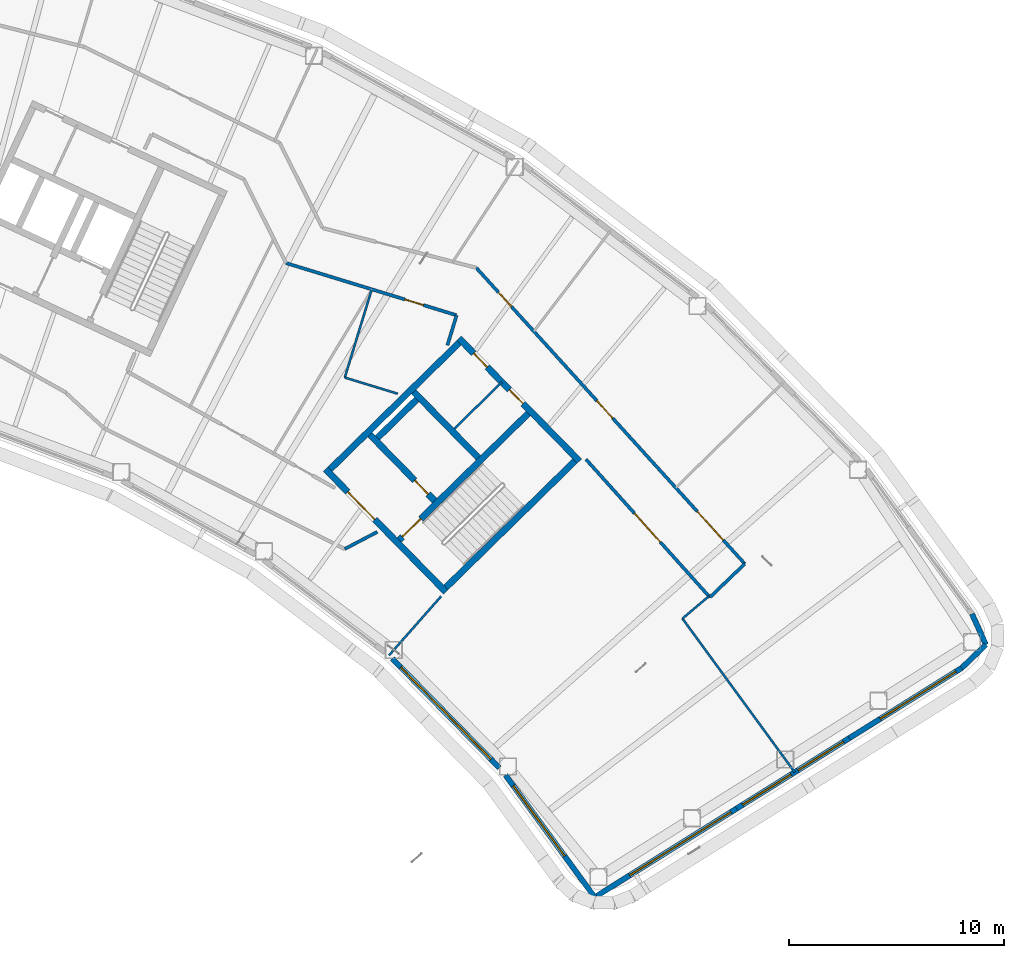
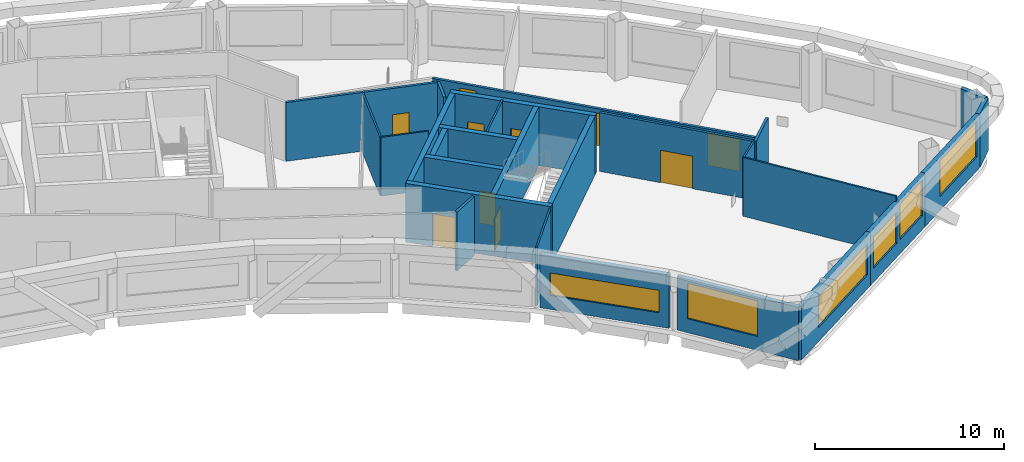
# One storey, part 9 of 21: 27 walls, 10 doors, 6 windows, 16 openings.
"""IFC4 building model written with IfcOpenShell, lengths in metres."""

from ifc_helpers import new_model, si_unit, direction, frame, frame_2d, origin, place, context, subcontext, project, spatial, rectangle, extrude, material, layer, layer_set, type_object, element, fill, save


model = new_model("IFC4")

# Units and contexts
model_context = context("Model", 3, precision=1e-05, world=origin(), true_north=direction((0.0, 1.0)))
body_context = subcontext(model_context, "Body", "Model", "MODEL_VIEW")
ifc_project = project(units=[si_unit("LENGTHUNIT", "METRE"), si_unit("AREAUNIT", "SQUARE_METRE"), si_unit("VOLUMEUNIT", "CUBIC_METRE"), si_unit("PLANEANGLEUNIT", "RADIAN"), si_unit("MASSUNIT", "GRAM", prefix="KILO")], contexts=[model_context])

# Site, building, storey
site_placement = place(None, origin())
site = spatial("IfcSite", under=ifc_project, at=site_placement, CompositionType="ELEMENT")
building_placement = place(site_placement, origin())
building = spatial("IfcBuilding", under=site, at=building_placement, Name="Tuul Gate Civic Tower", CompositionType="ELEMENT")
storey_placement = place(building_placement, frame((0.0, 0.0, 273.60009765625)))
storey = spatial("IfcBuildingStorey", under=building, at=storey_placement, Name="Level 62", CompositionType="ELEMENT", Elevation=273.60009765625)

# Wall, opening, door
ifc_material_1 = material(Name="Concrete C50/60", Category="concrete")
ifc_layer_1 = layer(ifc_material_1, 0.300048828125)
ifc_layer_set_1 = layer_set([ifc_layer_1], Name="Concrete C50/60")
wall_type_1 = type_object("IfcWallType", Name="Core wall C50/60", PredefinedType="SHEAR", material=ifc_layer_set_1)
wall_1_placement = place(storey_placement, frame((48.22509765625, -18.327880859375, 0.0), z_axis=(0.0, 0.0, 1.0), x_axis=(-0.700021979774, 0.714121297703, 0.0)))
wall_1 = element("IfcWall", 1, at=wall_1_placement, inside=storey, type_object=wall_type_1, Name="Core wall", PredefinedType="SHEAR", context=body_context, shape_type="SweptSolid", body=[
    extrude(rectangle(XDim=8.0, YDim=0.300048828125, at=frame_2d((4.0, 0.0))), origin(), (0.0, 0.0, 1.0), 3.7998046875),
])
opening_1_placement = place(wall_1_placement, frame((4.72509765625, 0.0, 0.0)))
opening_1 = element("IfcOpeningElement", 2, at=opening_1_placement, cuts=wall_1, Name="Opening LB-E1-LOBBY-1", PredefinedType="OPENING", context=body_context, shape_type="SweptSolid", body=[
    extrude(rectangle(XDim=1.800048828125, YDim=2.10009765625, at=frame_2d((0.89990234375, 1.050048828125))), frame((0.0, 0.16015625, 0.0), z_axis=(0.0, -1.0, 0.0), x_axis=(1.0, 0.0, 0.0)), (0.0, 0.0, 1.0), 0.320068359375),
])
ifc_material_2 = material(Name="Steel", Category="steel")
door_type_1 = type_object("IfcDoorType", Name="Lobby door", OperationType="DOUBLE_DOOR_SINGLE_SWING", PredefinedType="DOOR", material=ifc_material_2)
door_1_placement = place(opening_1_placement, frame((1.800048828125, 0.0, 0.0), z_axis=(0.0, 0.0, 1.0), x_axis=(-1.0, 0.0, 0.0)))
door_1 = element("IfcDoor", 3, at=door_1_placement, inside=storey, type_object=door_type_1, Name="Lobby door E1-LOBBY", OperationType="DOUBLE_DOOR_SINGLE_SWING", OverallHeight=2.10009765625, OverallWidth=1.800048828125, PredefinedType="DOOR", context=body_context, shape_type="SweptSolid", body=[
    extrude(rectangle(XDim=1.800048828125, YDim=2.10009765625, at=frame_2d((0.900146484375, 1.050048828125))), frame((0.0, 0.02490234375, 0.0), z_axis=(0.0, -1.0, 0.0), x_axis=(1.0, 0.0, 0.0)), (0.0, 0.0, 1.0), 0.050048828125),
])
fill(opening_1, door_1)

wall_2_placement = place(storey_placement, frame((47.701904296875, -14.079833984375, 0.0), z_axis=(0.0, 0.0, 1.0), x_axis=(-0.700002721075, 0.714140175657, 0.0)))
wall_2 = element("IfcWall", 4, at=wall_2_placement, inside=storey, type_object=wall_type_1, Name="Core wall", PredefinedType="SHEAR", context=body_context, shape_type="SweptSolid", body=[
    extrude(rectangle(XDim=4.300048828125, YDim=0.300048828125, at=frame_2d((2.14990234375, 0.0))), origin(), (0.0, 0.0, 1.0), 3.7998046875),
])
opening_2_placement = place(wall_2_placement, frame((0.425048828125, 0.0, 0.0)))
opening_2 = element("IfcOpeningElement", 5, at=opening_2_placement, cuts=wall_2, Name="Opening FB-E1A1", PredefinedType="OPENING", context=body_context, shape_type="SweptSolid", body=[
    extrude(rectangle(XDim=0.89990234375, YDim=2.10009765625, at=frame_2d((0.449951171875, 1.050048828125))), frame((0.0, 0.16015625, 0.0), z_axis=(0.0, -1.0, 0.0), x_axis=(1.0, 0.0, 0.0)), (0.0, 0.0, 1.0), 0.320068359375),
])
ifc_material_3 = material(Name="Steel", Category="steel")
door_type_2 = type_object("IfcDoorType", Name="Store door", OperationType="NOTDEFINED", PredefinedType="DOOR", material=ifc_material_3)
door_2_placement = place(opening_2_placement, frame((0.89990234375, 0.0, 0.0), z_axis=(0.0, 0.0, 1.0), x_axis=(-1.0, 0.0, 0.0)))
door_2 = element("IfcDoor", 6, at=door_2_placement, inside=storey, type_object=door_type_2, Name="Store door E1A1", OperationType="SINGLE_SWING_RIGHT", OverallHeight=2.10009765625, OverallWidth=0.89990234375, PredefinedType="DOOR", context=body_context, shape_type="SweptSolid", body=[
    extrude(rectangle(XDim=0.89990234375, YDim=2.10009765625, at=frame_2d((0.449951171875, 1.050048828125))), frame((0.0, 0.02490234375, 0.0), z_axis=(0.0, -1.0, 0.0), x_axis=(1.0, 0.0, 0.0)), (0.0, 0.0, 1.0), 0.050048828125),
])
fill(opening_2, door_2)

# Wall
wall_3_placement = place(storey_placement, frame((49.737060546875, -12.0849609375, 0.0), z_axis=(0.0, 0.0, 1.0), x_axis=(-0.700002721075, 0.714140175657, 0.0)))
element("IfcWall", 7, at=wall_3_placement, inside=storey, type_object=wall_type_1, Name="Core wall", PredefinedType="SHEAR", context=body_context, shape_type="SweptSolid", body=[
    extrude(rectangle(XDim=4.300048828125, YDim=0.300048828125, at=frame_2d((2.14990234375, 0.0))), origin(), (0.0, 0.0, 1.0), 3.7998046875),
])

# Wall, openings, doors
wall_4_placement = place(storey_placement, frame((54.43798828125, -12.23779296875, 0.0), z_axis=(0.0, 0.0, 1.0), x_axis=(-0.700021979774, 0.714121297703, 0.0)))
wall_4 = element("IfcWall", 8, at=wall_4_placement, inside=storey, type_object=wall_type_1, Name="Core wall", PredefinedType="SHEAR", context=body_context, shape_type="SweptSolid", body=[
    extrude(rectangle(XDim=8.0, YDim=0.300048828125, at=frame_2d((4.0, 0.0))), origin(), (0.0, 0.0, 1.0), 3.7998046875),
])
opening_3_placement = place(wall_4_placement, frame((3.75, 0.0, 0.0)))
opening_3 = element("IfcOpeningElement", 9, at=opening_3_placement, cuts=wall_4, Name="Opening W-D35", PredefinedType="OPENING", context=body_context, shape_type="SweptSolid", body=[
    extrude(rectangle(XDim=0.89990234375, YDim=2.10009765625, at=frame_2d((0.449951171875, 1.050048828125))), frame((0.0, 0.16015625, 0.0), z_axis=(0.0, -1.0, 0.0), x_axis=(1.0, 0.0, 0.0)), (0.0, 0.0, 1.0), 0.320068359375),
])
opening_4_placement = place(wall_4_placement, frame((6.125, 0.0, 0.0)))
opening_4 = element("IfcOpeningElement", 10, at=opening_4_placement, cuts=wall_4, Name="Opening W-D36", PredefinedType="OPENING", context=body_context, shape_type="SweptSolid", body=[
    extrude(rectangle(XDim=0.89990234375, YDim=2.10009765625, at=frame_2d((0.449951171875, 1.050048828125))), frame((0.0, 0.16015625, 0.0), z_axis=(0.0, -1.0, 0.0), x_axis=(1.0, 0.0, 0.0)), (0.0, 0.0, 1.0), 0.320068359375),
])
ifc_material_4 = material(Name="Timber door leaf", Category="wood")
door_type_3 = type_object("IfcDoorType", Name="Door D09", OperationType="NOTDEFINED", PredefinedType="DOOR", material=ifc_material_4)
door_3_placement = place(opening_3_placement, origin())
door_3 = element("IfcDoor", 11, at=door_3_placement, inside=storey, type_object=door_type_3, Name="Door W-D35", OperationType="SINGLE_SWING_LEFT", OverallHeight=2.10009765625, OverallWidth=0.89990234375, PredefinedType="DOOR", context=body_context, shape_type="SweptSolid", body=[
    extrude(rectangle(XDim=0.89990234375, YDim=2.10009765625, at=frame_2d((0.449951171875, 1.050048828125))), frame((0.0, 0.02490234375, 0.0), z_axis=(0.0, -1.0, 0.0), x_axis=(1.0, 0.0, 0.0)), (0.0, 0.0, 1.0), 0.050048828125),
])
fill(opening_3, door_3)
door_4_placement = place(opening_4_placement, origin())
door_4 = element("IfcDoor", 12, at=door_4_placement, inside=storey, type_object=door_type_3, Name="Door W-D36", OperationType="SINGLE_SWING_LEFT", OverallHeight=2.10009765625, OverallWidth=0.89990234375, PredefinedType="DOOR", context=body_context, shape_type="SweptSolid", body=[
    extrude(rectangle(XDim=0.89990234375, YDim=2.10009765625, at=frame_2d((0.449951171875, 1.050048828125))), frame((0.0, 0.02490234375, 0.0), z_axis=(0.0, -1.0, 0.0), x_axis=(1.0, 0.0, 0.0)), (0.0, 0.0, 1.0), 0.050048828125),
])
fill(opening_4, door_4)

# Wall
wall_5_placement = place(storey_placement, frame((48.227294921875, -18.115966796875, 0.0), z_axis=(0.0, 0.0, 1.0), x_axis=(0.714105315431, 0.700038283577, 0.0)))
element("IfcWall", 13, at=wall_5_placement, inside=storey, type_object=wall_type_1, Name="Core wall", PredefinedType="SHEAR", context=body_context, shape_type="SweptSolid", body=[
    extrude(rectangle(XDim=8.400146484375, YDim=0.300048828125, at=frame_2d((4.2001953125, 0.0))), origin(), (0.0, 0.0, 1.0), 3.7998046875),
])

# Wall, opening, door
wall_6_placement = place(storey_placement, frame((46.05712890625, -15.902099609375, 0.0), z_axis=(0.0, 0.0, 1.0), x_axis=(0.714134086973, 0.700008932674, 0.0)))
wall_6 = element("IfcWall", 14, at=wall_6_placement, inside=storey, type_object=wall_type_1, Name="Core wall", PredefinedType="SHEAR", context=body_context, shape_type="SweptSolid", body=[
    extrude(rectangle(XDim=8.400146484375, YDim=0.300048828125, at=frame_2d((4.2001953125, 0.0))), origin(), (0.0, 0.0, 1.0), 3.7998046875),
])
opening_5_placement = place(wall_6_placement, frame((0.199951171875, 0.0, 0.0)))
opening_5 = element("IfcOpeningElement", 15, at=opening_5_placement, cuts=wall_6, Name="Opening SD-ST-3", PredefinedType="OPENING", context=body_context, shape_type="SweptSolid", body=[
    extrude(rectangle(XDim=1.199951171875, YDim=2.10009765625, at=frame_2d((0.60009765625, 1.050048828125))), frame((0.0, 0.16015625, 0.0), z_axis=(0.0, -1.0, 0.0), x_axis=(1.0, 0.0, 0.0)), (0.0, 0.0, 1.0), 0.320068359375),
])
ifc_material_5 = material(Name="Steel", Category="steel")
door_type_4 = type_object("IfcDoorType", Name="Stair door", OperationType="NOTDEFINED", PredefinedType="DOOR", material=ifc_material_5)
door_5_placement = place(opening_5_placement, origin())
door_5 = element("IfcDoor", 16, at=door_5_placement, inside=storey, type_object=door_type_4, Name="Stair door ST-3", OperationType="SINGLE_SWING_LEFT", OverallHeight=2.10009765625, OverallWidth=1.199951171875, PredefinedType="DOOR", context=body_context, shape_type="SweptSolid", body=[
    extrude(rectangle(XDim=1.199951171875, YDim=2.10009765625, at=frame_2d((0.60009765625, 1.050048828125))), frame((0.0, 0.02490234375, 0.0), z_axis=(0.0, -1.0, 0.0), x_axis=(1.0, 0.0, 0.0)), (0.0, 0.0, 1.0), 0.050048828125),
])
fill(opening_5, door_5)

# Walls
wall_7_placement = place(storey_placement, frame((45.0439453125, -11.154052734375, 0.0), z_axis=(0.0, 0.0, 1.0), x_axis=(0.714108498262, 0.700035036773, 0.0)))
element("IfcWall", 17, at=wall_7_placement, inside=storey, type_object=wall_type_1, Name="Core wall", PredefinedType="SHEAR", context=body_context, shape_type="SweptSolid", body=[
    extrude(rectangle(XDim=2.550048828125, YDim=0.300048828125, at=frame_2d((1.27490234375, 0.0))), origin(), (0.0, 0.0, 1.0), 3.7998046875),
])
wall_8_placement = place(storey_placement, frame((42.837158203125, -12.616943359375, 0.0), z_axis=(0.0, 0.0, 1.0), x_axis=(0.714119844755, 0.700023461983, 0.0)))
element("IfcWall", 18, at=wall_8_placement, inside=storey, type_object=wall_type_1, Name="Core wall", PredefinedType="SHEAR", context=body_context, shape_type="SweptSolid", body=[
    extrude(rectangle(XDim=8.39990234375, YDim=0.300048828125, at=frame_2d((4.199951171875, 0.0))), origin(), (0.0, 0.0, 1.0), 3.7998046875),
])

# Wall, opening, door
ifc_material_6 = material(Name="Gypsum board partition")
ifc_layer_2 = layer(ifc_material_6, 0.14990234375)
ifc_layer_set_2 = layer_set([ifc_layer_2], Name="Gypsum board partition")
wall_type_2 = type_object("IfcWallType", Name="Corridor wall P150", PredefinedType="PARTITIONING", material=ifc_layer_set_2)
wall_9_placement = place(storey_placement, frame((54.74072265625, -12.151123046875, 0.0), z_axis=(0.0, 0.0, 1.0), x_axis=(0.66824580338, -0.74394055291, 0.0)))
wall_9 = element("IfcWall", 19, at=wall_9_placement, inside=storey, type_object=wall_type_2, Name="p012", PredefinedType="PARTITIONING", context=body_context, shape_type="SweptSolid", body=[
    extrude(rectangle(XDim=8.63427734375, YDim=0.14990234375, at=frame_2d((4.317138671875, 0.0))), origin(), (0.0, 0.0, 1.0), 3.7998046875),
])
opening_6_placement = place(wall_9_placement, frame((3.382568359375, 0.0, 0.0)))
opening_6 = element("IfcOpeningElement", 20, at=opening_6_placement, cuts=wall_9, Name="Opening W-D21", PredefinedType="OPENING", context=body_context, shape_type="SweptSolid", body=[
    extrude(rectangle(XDim=1.800048828125, YDim=2.10009765625, at=frame_2d((0.89990234375, 1.050048828125))), frame((0.0, 0.0849609375, 0.0), z_axis=(0.0, -1.0, 0.0), x_axis=(1.0, 0.0, 0.0)), (0.0, 0.0, 1.0), 0.169921875),
])
ifc_material_7 = material(Name="Timber door leaf, double", Category="wood")
door_type_5 = type_object("IfcDoorType", Name="Door D18", OperationType="DOUBLE_DOOR_SINGLE_SWING", PredefinedType="DOOR", material=ifc_material_7)
door_6_placement = place(opening_6_placement, frame((1.800048828125, 0.0, 0.0), z_axis=(0.0, 0.0, 1.0), x_axis=(-1.0, 0.0, 0.0)))
door_6 = element("IfcDoor", 21, at=door_6_placement, inside=storey, type_object=door_type_5, Name="Door W-D21", OperationType="DOUBLE_DOOR_SINGLE_SWING", OverallHeight=2.10009765625, OverallWidth=1.800048828125, PredefinedType="DOOR", context=body_context, shape_type="SweptSolid", body=[
    extrude(rectangle(XDim=1.800048828125, YDim=2.10009765625, at=frame_2d((0.900146484375, 1.050048828125))), frame((0.0, 0.02490234375, 0.0), z_axis=(0.0, -1.0, 0.0), x_axis=(1.0, 0.0, 0.0)), (0.0, 0.0, 1.0), 0.050048828125),
])
fill(opening_6, door_6)

# Walls
wall_10_placement = place(storey_placement, frame((60.510498046875, -18.574462890625, 0.0), z_axis=(0.0, 0.0, 1.0), x_axis=(0.721601928115, 0.692308209788, 0.0)))
element("IfcWall", 22, at=wall_10_placement, inside=storey, type_object=wall_type_2, Name="p013", PredefinedType="PARTITIONING", context=body_context, shape_type="SweptSolid", body=[
    extrude(rectangle(XDim=2.250244140625, YDim=0.14990234375, at=frame_2d((1.125, 0.0))), origin(), (0.0, 0.0, 1.0), 3.7998046875),
])
wall_11_placement = place(storey_placement, frame((43.52001953125, -16.32568359375, 0.0), z_axis=(0.0, 0.0, 1.0), x_axis=(0.88557995334, 0.464486971014, 0.0)))
element("IfcWall", 23, at=wall_11_placement, inside=storey, type_object=wall_type_2, Name="p079", PredefinedType="PARTITIONING", context=body_context, shape_type="SweptSolid", body=[
    extrude(rectangle(XDim=1.71044921875, YDim=0.14990234375, at=frame_2d((0.855224609375, 0.0))), origin(), (0.0, 0.0, 1.0), 3.7998046875),
])

# Wall, opening, door
wall_12_placement = place(storey_placement, frame((40.78662109375, -3.022705078125, 0.0), z_axis=(0.0, 0.0, 1.0), x_axis=(0.956268555028, -0.292490086439, 0.0)))
wall_12 = element("IfcWall", 24, at=wall_12_placement, inside=storey, type_object=wall_type_2, Name="p102", PredefinedType="PARTITIONING", context=body_context, shape_type="SweptSolid", body=[
    extrude(rectangle(XDim=8.291015625, YDim=0.14990234375, at=frame_2d((4.1455078125, 0.0))), origin(), (0.0, 0.0, 1.0), 3.7998046875),
])
opening_7_placement = place(wall_12_placement, frame((5.786865234375, 0.0, 0.0)))
opening_7 = element("IfcOpeningElement", 25, at=opening_7_placement, cuts=wall_12, Name="Opening W-D28", PredefinedType="OPENING", context=body_context, shape_type="SweptSolid", body=[
    extrude(rectangle(XDim=0.89990234375, YDim=2.10009765625, at=frame_2d((0.449951171875, 1.050048828125))), frame((0.0, 0.0849609375, 0.0), z_axis=(0.0, -1.0, 0.0), x_axis=(1.0, 0.0, 0.0)), (0.0, 0.0, 1.0), 0.169921875),
])
door_7_placement = place(opening_7_placement, frame((0.89990234375, 0.0, 0.0), z_axis=(0.0, 0.0, 1.0), x_axis=(-1.0, 0.0, 0.0)))
door_7 = element("IfcDoor", 26, at=door_7_placement, inside=storey, type_object=door_type_3, Name="Door W-D28", OperationType="SINGLE_SWING_LEFT", OverallHeight=2.10009765625, OverallWidth=0.89990234375, PredefinedType="DOOR", context=body_context, shape_type="SweptSolid", body=[
    extrude(rectangle(XDim=0.89990234375, YDim=2.10009765625, at=frame_2d((0.449951171875, 1.050048828125))), frame((0.0, 0.02490234375, 0.0), z_axis=(0.0, -1.0, 0.0), x_axis=(1.0, 0.0, 0.0)), (0.0, 0.0, 1.0), 0.050048828125),
])
fill(opening_7, door_7)

# Wall
wall_13_placement = place(storey_placement, frame((48.298583984375, -6.843505859375, 0.0), z_axis=(0.0, 0.0, 1.0), x_axis=(0.292598304993, 0.956235447949, 0.0)))
element("IfcWall", 27, at=wall_13_placement, inside=storey, type_object=wall_type_2, Name="p103", PredefinedType="PARTITIONING", context=body_context, shape_type="SweptSolid", body=[
    extrude(rectangle(XDim=1.45361328125, YDim=0.14990234375, at=frame_2d((0.726806640625, 0.0))), origin(), (0.0, 0.0, 1.0), 3.7998046875),
])

# Wall, openings, doors
ifc_material_8 = material(Name="Gypsum board partition")
ifc_layer_3 = layer(ifc_material_8, 0.14990234375)
ifc_layer_set_3 = layer_set([ifc_layer_3], Name="Gypsum board partition")
wall_type_3 = type_object("IfcWallType", Name="Corridor wall P150 2400 HIGH", PredefinedType="PARTITIONING", material=ifc_layer_set_3)
wall_14_placement = place(storey_placement, frame((49.636962890625, -3.2412109375, 0.0), z_axis=(0.0, 0.0, 1.0), x_axis=(0.671913916037, -0.740629252349, 0.0)))
wall_14 = element("IfcWall", 28, at=wall_14_placement, inside=storey, type_object=wall_type_3, Name="p014", PredefinedType="PARTITIONING", context=body_context, shape_type="SweptSolid", body=[
    extrude(rectangle(XDim=18.599609375, YDim=0.14990234375, at=frame_2d((9.2998046875, 0.0))), origin(), (0.0, 0.0, 1.0), 2.39990234375),
])
opening_8_placement = place(wall_14_placement, frame((15.310546875, 0.0, 0.0)))
opening_8 = element("IfcOpeningElement", 29, at=opening_8_placement, cuts=wall_14, Name="Opening W-D02", PredefinedType="OPENING", context=body_context, shape_type="SweptSolid", body=[
    extrude(rectangle(XDim=1.800048828125, YDim=2.10009765625, at=frame_2d((0.89990234375, 1.050048828125))), frame((0.0, 0.0849609375, 0.0), z_axis=(0.0, -1.0, 0.0), x_axis=(1.0, 0.0, 0.0)), (0.0, 0.0, 1.0), 0.169921875),
])
opening_9_placement = place(wall_14_placement, frame((8.356689453125, 0.0, 0.0)))
opening_9 = element("IfcOpeningElement", 30, at=opening_9_placement, cuts=wall_14, Name="Opening W-D03", PredefinedType="OPENING", context=body_context, shape_type="SweptSolid", body=[
    extrude(rectangle(XDim=1.10009765625, YDim=2.10009765625, at=frame_2d((0.550048828125, 1.050048828125))), frame((0.0, 0.0849609375, 0.0), z_axis=(0.0, -1.0, 0.0), x_axis=(1.0, 0.0, 0.0)), (0.0, 0.0, 1.0), 0.169921875),
])
opening_10_placement = place(wall_14_placement, frame((1.5458984375, 0.0, 0.0)))
opening_10 = element("IfcOpeningElement", 31, at=opening_10_placement, cuts=wall_14, Name="Opening W-D04", PredefinedType="OPENING", context=body_context, shape_type="SweptSolid", body=[
    extrude(rectangle(XDim=0.89990234375, YDim=2.10009765625, at=frame_2d((0.449951171875, 1.050048828125))), frame((0.0, 0.0849609375, 0.0), z_axis=(0.0, -1.0, 0.0), x_axis=(1.0, 0.0, 0.0)), (0.0, 0.0, 1.0), 0.169921875),
])
door_8_placement = place(opening_10_placement, origin())
door_8 = element("IfcDoor", 32, at=door_8_placement, inside=storey, type_object=door_type_3, Name="Door W-D04", OperationType="SINGLE_SWING_RIGHT", OverallHeight=2.10009765625, OverallWidth=0.89990234375, PredefinedType="DOOR", context=body_context, shape_type="SweptSolid", body=[
    extrude(rectangle(XDim=0.89990234375, YDim=2.10009765625, at=frame_2d((0.449951171875, 1.050048828125))), frame((0.0, 0.02490234375, 0.0), z_axis=(0.0, -1.0, 0.0), x_axis=(1.0, 0.0, 0.0)), (0.0, 0.0, 1.0), 0.050048828125),
])
fill(opening_10, door_8)
ifc_material_9 = material(Name="Timber door leaf", Category="wood")
door_type_6 = type_object("IfcDoorType", Name="Door D11", OperationType="NOTDEFINED", PredefinedType="DOOR", material=ifc_material_9)
door_9_placement = place(opening_9_placement, origin())
door_9 = element("IfcDoor", 33, at=door_9_placement, inside=storey, type_object=door_type_6, Name="Door W-D03", OperationType="SINGLE_SWING_RIGHT", OverallHeight=2.10009765625, OverallWidth=1.10009765625, PredefinedType="DOOR", context=body_context, shape_type="SweptSolid", body=[
    extrude(rectangle(XDim=1.10009765625, YDim=2.10009765625, at=frame_2d((0.550048828125, 1.050048828125))), frame((0.0, 0.02490234375, 0.0), z_axis=(0.0, -1.0, 0.0), x_axis=(1.0, 0.0, 0.0)), (0.0, 0.0, 1.0), 0.050048828125),
])
fill(opening_9, door_9)
door_10_placement = place(opening_8_placement, origin())
door_10 = element("IfcDoor", 34, at=door_10_placement, inside=storey, type_object=door_type_5, Name="Door W-D02", OperationType="DOUBLE_DOOR_SINGLE_SWING", OverallHeight=2.10009765625, OverallWidth=1.800048828125, PredefinedType="DOOR", context=body_context, shape_type="SweptSolid", body=[
    extrude(rectangle(XDim=1.800048828125, YDim=2.10009765625, at=frame_2d((0.89990234375, 1.050048828125))), frame((0.0, 0.02490234375, 0.0), z_axis=(0.0, -1.0, 0.0), x_axis=(1.0, 0.0, 0.0)), (0.0, 0.0, 1.0), 0.050048828125),
])
fill(opening_8, door_10)

# Walls
ifc_material_10 = material(Name="Precast concrete C40/50", Category="concrete")
ifc_layer_4 = layer(ifc_material_10, 0.25)
ifc_layer_set_4 = layer_set([ifc_layer_4], Name="Precast concrete C40/50")
wall_type_4 = type_object("IfcWallType", Name="External wall", PredefinedType="STANDARD", material=ifc_layer_set_4)
wall_15_placement = place(storey_placement, frame((72.2216796875, -21.86669921875, 0.0), z_axis=(0.0, 0.0, 1.0), x_axis=(0.722783622894, 0.69107440589, 0.0)))
element("IfcWall", 35, at=wall_15_placement, inside=storey, type_object=wall_type_4, Name="External wall", PredefinedType="STANDARD", context=body_context, shape_type="SweptSolid", body=[
    extrude(rectangle(XDim=1.570556640625, YDim=0.25, at=frame_2d((0.78515625, 0.0))), origin(), (0.0, 0.0, 1.0), 3.449951171875),
])
wall_16_placement = place(storey_placement, frame((73.35693359375, -20.78125, 0.0), z_axis=(0.0, 0.0, 1.0), x_axis=(-0.412995937313, 0.9107328674, 0.0)))
element("IfcWall", 36, at=wall_16_placement, inside=storey, type_object=wall_type_4, Name="External wall", PredefinedType="STANDARD", context=body_context, shape_type="SweptSolid", body=[
    extrude(rectangle(XDim=1.572998046875, YDim=0.25, at=frame_2d((0.78662109375, 0.0))), origin(), (0.0, 0.0, 1.0), 3.449951171875),
])

# Wall, opening, window
wall_17_placement = place(storey_placement, frame((45.73486328125, -21.428955078125, 0.0), z_axis=(0.0, 0.0, 1.0), x_axis=(0.700015105418, -0.714128036269, 0.0)))
wall_17 = element("IfcWall", 37, at=wall_17_placement, inside=storey, type_object=wall_type_4, Name="External wall", PredefinedType="STANDARD", context=body_context, shape_type="SweptSolid", body=[
    extrude(rectangle(XDim=7.10986328125, YDim=0.25, at=frame_2d((3.554931640625, 0.0))), origin(), (0.0, 0.0, 1.0), 3.449951171875),
])
opening_11_placement = place(wall_17_placement, frame((0.553955078125, 0.0, 0.89990234375)))
opening_11 = element("IfcOpeningElement", 38, at=opening_11_placement, cuts=wall_17, Name="Opening W107", PredefinedType="OPENING", context=body_context, shape_type="SweptSolid", body=[
    extrude(rectangle(XDim=6.0, YDim=1.449951171875, at=frame_2d((3.0, 0.72509765625))), frame((0.0, 0.135009765625, 0.0), z_axis=(0.0, -1.0, 0.0), x_axis=(1.0, 0.0, 0.0)), (0.0, 0.0, 1.0), 0.27001953125),
])
ifc_material_11 = material(Name="Glass", Category="glass")
window_type_1 = type_object("IfcWindowType", Name="Window W107 6000 x 1450", PartitioningType="SINGLE_PANEL", PredefinedType="WINDOW", material=ifc_material_11)
window_1_placement = place(opening_11_placement, origin())
window_1 = element("IfcWindow", 39, at=window_1_placement, inside=storey, type_object=window_type_1, Name="Window", OverallHeight=1.449951171875, OverallWidth=6.0, PartitioningType="SINGLE_PANEL", PredefinedType="WINDOW", context=body_context, shape_type="SweptSolid", body=[
    extrude(rectangle(XDim=6.0, YDim=1.449951171875, at=frame_2d((3.0, 0.72509765625))), frame((0.0, 0.030029296875, 0.0), z_axis=(0.0, -1.0, 0.0), x_axis=(1.0, 0.0, 0.0)), (0.0, 0.0, 1.0), 0.06005859375),
])
fill(opening_11, window_1)

wall_18_placement = place(storey_placement, frame((51.001708984375, -26.85009765625, 0.0), z_axis=(0.0, 0.0, 1.0), x_axis=(0.589734649771, -0.807597079526, 0.0)))
wall_18 = element("IfcWall", 40, at=wall_18_placement, inside=storey, type_object=wall_type_4, Name="External wall", PredefinedType="STANDARD", context=body_context, shape_type="SweptSolid", body=[
    extrude(rectangle(XDim=7.03515625, YDim=0.25, at=frame_2d((3.517578125, 0.0))), origin(), (0.0, 0.0, 1.0), 3.449951171875),
])
opening_12_placement = place(wall_18_placement, frame((0.610107421875, 0.0, 0.89990234375)))
opening_12 = element("IfcOpeningElement", 41, at=opening_12_placement, cuts=wall_18, Name="Opening W62", PredefinedType="OPENING", context=body_context, shape_type="SweptSolid", body=[
    extrude(rectangle(XDim=4.050048828125, YDim=2.300048828125, at=frame_2d((2.02490234375, 1.14990234375))), frame((0.0, 0.135009765625, 0.0), z_axis=(0.0, -1.0, 0.0), x_axis=(1.0, 0.0, 0.0)), (0.0, 0.0, 1.0), 0.27001953125),
])
ifc_material_12 = material(Name="Glass", Category="glass")
window_type_2 = type_object("IfcWindowType", Name="Window 4050 x 2300", PartitioningType="SINGLE_PANEL", PredefinedType="WINDOW", material=ifc_material_12)
window_2_placement = place(opening_12_placement, origin())
window_2 = element("IfcWindow", 42, at=window_2_placement, inside=storey, type_object=window_type_2, Name="Window", OverallHeight=2.300048828125, OverallWidth=4.050048828125, PartitioningType="SINGLE_PANEL", PredefinedType="WINDOW", context=body_context, shape_type="SweptSolid", body=[
    extrude(rectangle(XDim=4.050048828125, YDim=2.300048828125, at=frame_2d((2.02490234375, 1.14990234375))), frame((0.0, 0.030029296875, 0.0), z_axis=(0.0, -1.0, 0.0), x_axis=(1.0, 0.0, 0.0)), (0.0, 0.0, 1.0), 0.06005859375),
])
fill(opening_12, window_2)

wall_19_placement = place(storey_placement, frame((55.150634765625, -32.53173828125, 0.0), z_axis=(0.0, 0.0, 1.0), x_axis=(0.848019436648, 0.529965126274, 0.0)))
wall_19 = element("IfcWall", 43, at=wall_19_placement, inside=storey, type_object=wall_type_4, Name="External wall", PredefinedType="STANDARD", context=body_context, shape_type="SweptSolid", body=[
    extrude(rectangle(XDim=7.7880859375, YDim=0.25, at=frame_2d((3.89404296875, 0.0))), origin(), (0.0, 0.0, 1.0), 3.449951171875),
])
opening_13_placement = place(wall_19_placement, frame((1.922119140625, 0.0, 0.89990234375)))
opening_13 = element("IfcOpeningElement", 44, at=opening_13_placement, cuts=wall_19, Name="Opening W151", PredefinedType="OPENING", context=body_context, shape_type="SweptSolid", body=[
    extrude(rectangle(XDim=5.550048828125, YDim=2.0, at=frame_2d((2.77490234375, 1.0))), frame((0.0, 0.135009765625, 0.0), z_axis=(0.0, -1.0, 0.0), x_axis=(1.0, 0.0, 0.0)), (0.0, 0.0, 1.0), 0.27001953125),
])
ifc_material_13 = material(Name="Glass", Category="glass")
window_type_3 = type_object("IfcWindowType", Name="Window W151 5550 x 2000", PartitioningType="SINGLE_PANEL", PredefinedType="WINDOW", material=ifc_material_13)
window_3_placement = place(opening_13_placement, origin())
window_3 = element("IfcWindow", 45, at=window_3_placement, inside=storey, type_object=window_type_3, Name="Window", OverallHeight=2.0, OverallWidth=5.550048828125, PartitioningType="SINGLE_PANEL", PredefinedType="WINDOW", context=body_context, shape_type="SweptSolid", body=[
    extrude(rectangle(XDim=5.550048828125, YDim=2.0, at=frame_2d((2.77490234375, 1.0))), frame((0.0, 0.030029296875, 0.0), z_axis=(0.0, -1.0, 0.0), x_axis=(1.0, 0.0, 0.0)), (0.0, 0.0, 1.0), 0.06005859375),
])
fill(opening_13, window_3)

# Wall, openings, windows
wall_20_placement = place(storey_placement, frame((61.755126953125, -28.404296875, 0.0), z_axis=(0.0, 0.0, 1.0), x_axis=(0.848036012993, 0.529938600846, 0.0)))
wall_20 = element("IfcWall", 46, at=wall_20_placement, inside=storey, type_object=wall_type_4, Name="External wall", PredefinedType="STANDARD", context=body_context, shape_type="SweptSolid", body=[
    extrude(rectangle(XDim=6.18310546875, YDim=0.25, at=frame_2d((3.091552734375, 0.0))), origin(), (0.0, 0.0, 1.0), 3.449951171875),
])
opening_14_placement = place(wall_20_placement, frame((0.339111328125, 0.0, 0.89990234375)))
opening_14 = element("IfcOpeningElement", 47, at=opening_14_placement, cuts=wall_20, Name="Opening W153", PredefinedType="OPENING", context=body_context, shape_type="SweptSolid", body=[
    extrude(rectangle(XDim=2.64990234375, YDim=2.0, at=frame_2d((1.324951171875, 1.0))), frame((0.0, 0.135009765625, 0.0), z_axis=(0.0, -1.0, 0.0), x_axis=(1.0, 0.0, 0.0)), (0.0, 0.0, 1.0), 0.27001953125),
])
opening_15_placement = place(wall_20_placement, frame((3.3642578125, 0.0, 0.89990234375)))
opening_15 = element("IfcOpeningElement", 48, at=opening_15_placement, cuts=wall_20, Name="Opening W38", PredefinedType="OPENING", context=body_context, shape_type="SweptSolid", body=[
    extrude(rectangle(XDim=2.5, YDim=2.300048828125, at=frame_2d((1.25, 1.14990234375))), frame((0.0, 0.135009765625, 0.0), z_axis=(0.0, -1.0, 0.0), x_axis=(1.0, 0.0, 0.0)), (0.0, 0.0, 1.0), 0.27001953125),
])
ifc_material_14 = material(Name="Glass", Category="glass")
window_type_4 = type_object("IfcWindowType", Name="Window 2500 x 2300", PartitioningType="SINGLE_PANEL", PredefinedType="WINDOW", material=ifc_material_14)
window_4_placement = place(opening_15_placement, origin())
window_4 = element("IfcWindow", 49, at=window_4_placement, inside=storey, type_object=window_type_4, Name="Window", OverallHeight=2.300048828125, OverallWidth=2.5, PartitioningType="SINGLE_PANEL", PredefinedType="WINDOW", context=body_context, shape_type="SweptSolid", body=[
    extrude(rectangle(XDim=2.5, YDim=2.300048828125, at=frame_2d((1.25, 1.14990234375))), frame((0.0, 0.030029296875, 0.0), z_axis=(0.0, -1.0, 0.0), x_axis=(1.0, 0.0, 0.0)), (0.0, 0.0, 1.0), 0.06005859375),
])
fill(opening_15, window_4)
ifc_material_15 = material(Name="Glass", Category="glass")
window_type_5 = type_object("IfcWindowType", Name="Window W153 2650 x 2000", PartitioningType="SINGLE_PANEL", PredefinedType="WINDOW", material=ifc_material_15)
window_5_placement = place(opening_14_placement, origin())
window_5 = element("IfcWindow", 50, at=window_5_placement, inside=storey, type_object=window_type_5, Name="Window", OverallHeight=2.0, OverallWidth=2.64990234375, PartitioningType="SINGLE_PANEL", PredefinedType="WINDOW", context=body_context, shape_type="SweptSolid", body=[
    extrude(rectangle(XDim=2.64990234375, YDim=2.0, at=frame_2d((1.324951171875, 1.0))), frame((0.0, 0.030029296875, 0.0), z_axis=(0.0, -1.0, 0.0), x_axis=(1.0, 0.0, 0.0)), (0.0, 0.0, 1.0), 0.06005859375),
])
fill(opening_14, window_5)

# Wall, opening, window
wall_21_placement = place(storey_placement, frame((66.99853515625, -25.127685546875, 0.0), z_axis=(0.0, 0.0, 1.0), x_axis=(0.848024923451, 0.529956346509, 0.0)))
wall_21 = element("IfcWall", 51, at=wall_21_placement, inside=storey, type_object=wall_type_4, Name="External wall", PredefinedType="STANDARD", context=body_context, shape_type="SweptSolid", body=[
    extrude(rectangle(XDim=6.182861328125, YDim=0.25, at=frame_2d((3.09130859375, 0.0))), origin(), (0.0, 0.0, 1.0), 3.449951171875),
])
opening_16_placement = place(wall_21_placement, frame((1.697021484375, 0.0, 0.89990234375)))
opening_16 = element("IfcOpeningElement", 52, at=opening_16_placement, cuts=wall_21, Name="Opening W25", PredefinedType="OPENING", context=body_context, shape_type="SweptSolid", body=[
    extrude(rectangle(XDim=4.14990234375, YDim=2.300048828125, at=frame_2d((2.074951171875, 1.14990234375))), frame((0.0, 0.135009765625, 0.0), z_axis=(0.0, -1.0, 0.0), x_axis=(1.0, 0.0, 0.0)), (0.0, 0.0, 1.0), 0.27001953125),
])
ifc_material_16 = material(Name="Glass", Category="glass")
window_type_6 = type_object("IfcWindowType", Name="Window W25 4150 x 2300", PartitioningType="SINGLE_PANEL", PredefinedType="WINDOW", material=ifc_material_16)
window_6_placement = place(opening_16_placement, origin())
window_6 = element("IfcWindow", 53, at=window_6_placement, inside=storey, type_object=window_type_6, Name="Window", OverallHeight=2.300048828125, OverallWidth=4.14990234375, PartitioningType="SINGLE_PANEL", PredefinedType="WINDOW", context=body_context, shape_type="SweptSolid", body=[
    extrude(rectangle(XDim=4.14990234375, YDim=2.300048828125, at=frame_2d((2.074951171875, 1.14990234375))), frame((0.0, 0.030029296875, 0.0), z_axis=(0.0, -1.0, 0.0), x_axis=(1.0, 0.0, 0.0)), (0.0, 0.0, 1.0), 0.06005859375),
])
fill(opening_16, window_6)

# Walls
ifc_material_17 = material(Name="Gypsum board partition")
ifc_layer_5 = layer(ifc_material_17, 0.10009765625)
ifc_layer_set_5 = layer_set([ifc_layer_5], Name="Gypsum board partition")
wall_type_5 = type_object("IfcWallType", Name="Partition P100", PredefinedType="PARTITIONING", material=ifc_layer_set_5)
wall_22_placement = place(storey_placement, frame((59.23486328125, -19.56494140625, 0.0), z_axis=(0.0, 0.0, 1.0), x_axis=(0.589815518848, -0.807538019988, 0.0)))
element("IfcWall", 54, at=wall_22_placement, inside=storey, type_object=wall_type_5, Name="p010", PredefinedType="PARTITIONING", context=body_context, shape_type="SweptSolid", body=[
    extrude(rectangle(XDim=8.859619140625, YDim=0.10009765625, at=frame_2d((4.4296875, 0.0))), origin(), (0.0, 0.0, 1.0), 3.7998046875),
])
wall_23_placement = place(storey_placement, frame((59.23486328125, -19.56494140625, 0.0), z_axis=(0.0, 0.0, 1.0), x_axis=(0.762880403702, 0.646539627283, 0.0)))
element("IfcWall", 55, at=wall_23_placement, inside=storey, type_object=wall_type_5, Name="p011", PredefinedType="PARTITIONING", context=body_context, shape_type="SweptSolid", body=[
    extrude(rectangle(XDim=1.611572265625, YDim=0.10009765625, at=frame_2d((0.8056640625, 0.0))), origin(), (0.0, 0.0, 1.0), 3.7998046875),
])
wall_24_placement = place(storey_placement, frame((45.57861328125, -21.27685546875, 0.0), z_axis=(0.0, 0.0, 1.0), x_axis=(0.661687751175, 0.749779514221, 0.0)))
element("IfcWall", 56, at=wall_24_placement, inside=storey, type_object=wall_type_5, Name="p065", PredefinedType="PARTITIONING", context=body_context, shape_type="SweptSolid", body=[
    extrude(rectangle(XDim=3.663818359375, YDim=0.10009765625, at=frame_2d((1.83203125, 0.0))), origin(), (0.0, 0.0, 1.0), 3.7998046875),
])
wall_25_placement = place(storey_placement, frame((43.520751953125, -8.34912109375, 0.0), z_axis=(0.0, 0.0, 1.0), x_axis=(0.956286267611, -0.292432170562, 0.0)))
element("IfcWall", 57, at=wall_25_placement, inside=storey, type_object=wall_type_5, Name="p104", PredefinedType="PARTITIONING", context=body_context, shape_type="SweptSolid", body=[
    extrude(rectangle(XDim=2.583984375, YDim=0.10009765625, at=frame_2d((1.2919921875, 0.0))), origin(), (0.0, 0.0, 1.0), 3.7998046875),
])
wall_26_placement = place(storey_placement, frame((43.520751953125, -8.34912109375, 0.0), z_axis=(0.0, 0.0, 1.0), x_axis=(0.29248828763, 0.956269105221, 0.0)))
element("IfcWall", 58, at=wall_26_placement, inside=storey, type_object=wall_type_5, Name="p105", PredefinedType="PARTITIONING", context=body_context, shape_type="SweptSolid", body=[
    extrude(rectangle(XDim=4.253662109375, YDim=0.10009765625, at=frame_2d((2.126953125, 0.0))), origin(), (0.0, 0.0, 1.0), 3.7998046875),
])
wall_27_placement = place(storey_placement, frame((48.619140625, -10.72998046875, 0.0), z_axis=(0.0, 0.0, 1.0), x_axis=(0.714159293908, 0.699983216173, 0.0)))
element("IfcWall", 59, at=wall_27_placement, inside=storey, type_object=wall_type_5, Name="bE1-BAND-0", PredefinedType="PARTITIONING", context=body_context, shape_type="SweptSolid", body=[
    extrude(rectangle(XDim=3.099853515625, YDim=0.10009765625, at=frame_2d((1.5498046875, 0.0))), origin(), (0.0, 0.0, 1.0), 3.7998046875),
])

save(model, "model.ifc")
